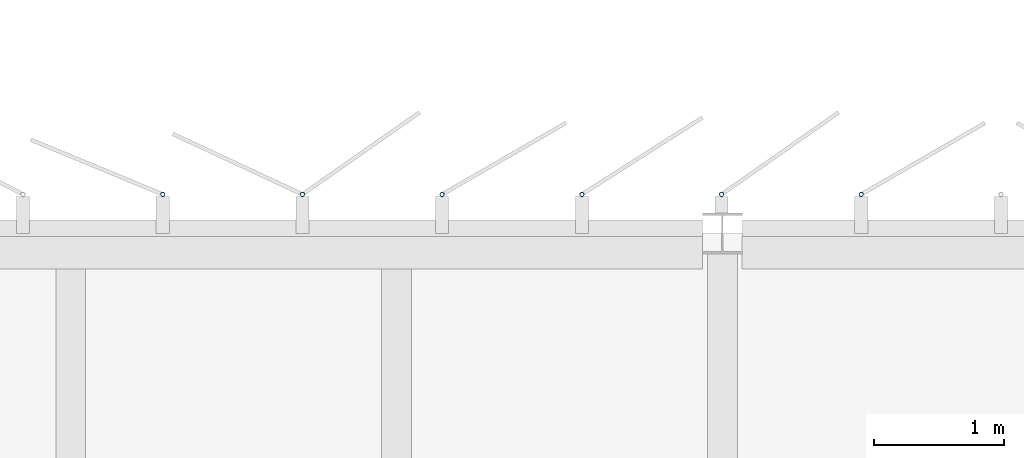
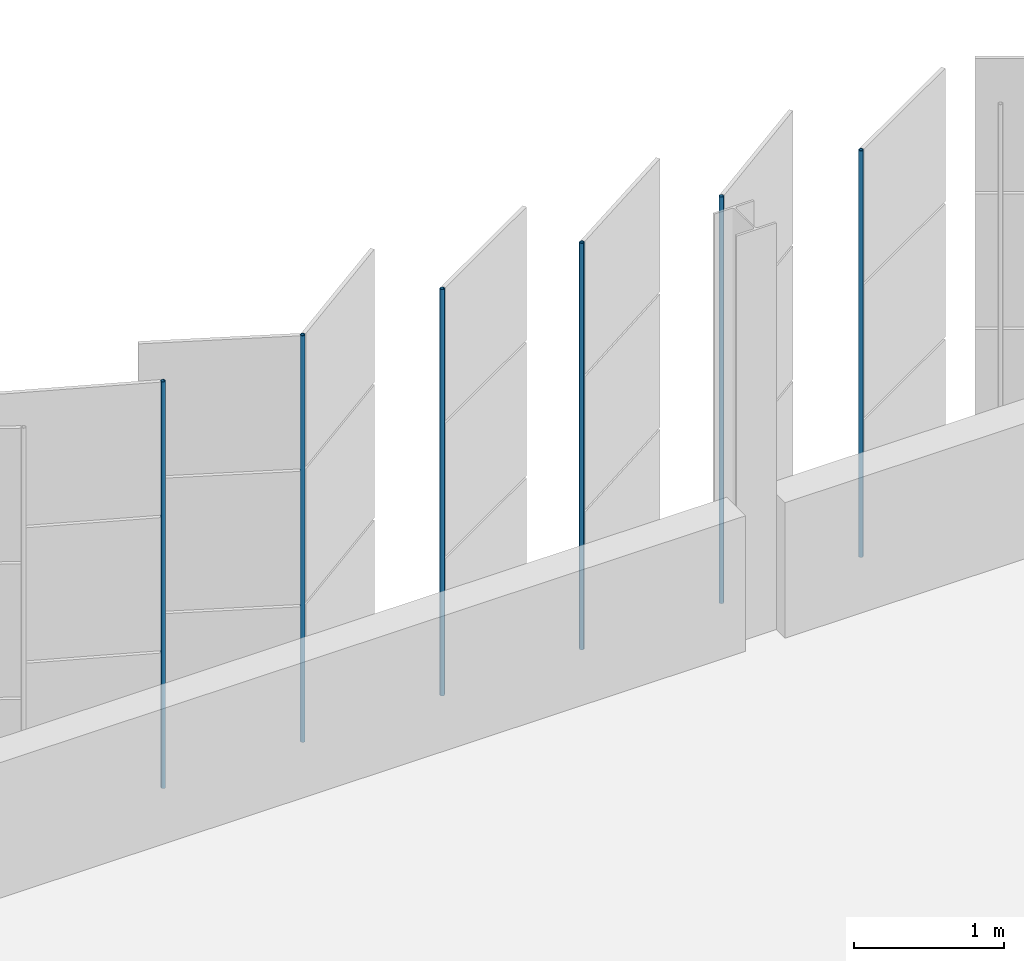
# One storey, part 157 of 214: 6 discrete accessories.
"""IFC4 building model written with IfcOpenShell, lengths in metres."""

import ifcopenshell
import ifcopenshell.guid

model = None  # the IFC model being written
_history = None  # IfcOwnerHistory: only IFC2X3 demands one
_inside = {}  # id of a spatial element -> (the spatial element, [elements in it])
_under = {}  # id of a project, library or spatial element -> (it, [spatial elements below it])
_declared = {}  # id of a project -> (the project, [libraries it declares])
_typed = {}  # id of a type object -> (the type object, [elements of that type])
_made_of = {}  # id of a material, layer set ... -> (it, [elements and type objects made of it])


def new_model(schema):
    """Start an empty IFC model of exactly this schema.

    Asked for "IFC4X3", IfcOpenShell would pick the latest addendum, in which some entities
    have other attributes; the version numbers below select the first issue.
    IFC2X3 requires an IfcOwnerHistory on every rooted entity: one is made here for all.
    """
    global model, _history
    if schema == "IFC4X3":
        model = ifcopenshell.file(schema_version=(4, 3, 0, 0))
    else:
        model = ifcopenshell.file(schema=schema)
    _inside.clear()
    _under.clear()
    _declared.clear()
    _typed.clear()
    _made_of.clear()
    _history = None
    if model.schema == "IFC2X3":
        org = make("IfcOrganization", Name="unknown")
        user = make(
            "IfcPersonAndOrganization",
            ThePerson=make("IfcPerson", FamilyName="unknown"),
            TheOrganization=org,
        )
        app = make(
            "IfcApplication",
            ApplicationDeveloper=org,
            Version="unknown",
            ApplicationFullName="unknown",
            ApplicationIdentifier="unknown",
        )
        _history = make(
            "IfcOwnerHistory",
            OwningUser=user,
            OwningApplication=app,
            ChangeAction="ADDED",
            CreationDate=0,
        )
    return model


def make(cls, **values):
    """One entity of the class cls with the attributes given. An attribute that is None is left unset."""
    return model.create_entity(
        cls, **{name: value for name, value in values.items() if value is not None}
    )


def rooted(cls, **values):
    """An entity with a GlobalId (a new one), such as an element, a storey or a relation."""
    return make(cls, GlobalId=ifcopenshell.guid.new(), OwnerHistory=_history, **values)


def si_unit(unit_type, name, prefix=None):
    """IfcSIUnit, for example si_unit("LENGTHUNIT", "METRE", prefix="MILLI")."""
    return make("IfcSIUnit", UnitType=unit_type, Prefix=prefix, Name=name)


def assignment(units):
    """IfcUnitAssignment: the units of a project."""
    return None if units is None else make("IfcUnitAssignment", Units=units)


def point(xyz):
    """IfcCartesianPoint."""
    return None if xyz is None else make("IfcCartesianPoint", Coordinates=xyz)


def direction(xyz):
    """IfcDirection."""
    return None if xyz is None else make("IfcDirection", DirectionRatios=xyz)


def frame(location, z_axis=None, x_axis=None):
    """IfcAxis2Placement3D, a coordinate frame: its origin and axes. An axis left out is left unset."""
    return make(
        "IfcAxis2Placement3D",
        Location=point(location),
        Axis=direction(z_axis),
        RefDirection=direction(x_axis),
    )


def frame_2d(location, x_axis=None):
    """IfcAxis2Placement2D, a coordinate frame in the plane: its origin and x axis."""
    return make(
        "IfcAxis2Placement2D", Location=point(location), RefDirection=direction(x_axis)
    )


def origin():
    """The frame at (0, 0, 0) with its axes left unset."""
    return frame((0.0, 0.0, 0.0))


def origin_2d():
    """The frame at (0, 0) in the plane with its x axis left unset."""
    return frame_2d((0.0, 0.0))


def place(relative_to, where):
    """IfcLocalPlacement: puts the frame where relative to a parent placement (None: the world)."""
    return make(
        "IfcLocalPlacement", PlacementRelTo=relative_to, RelativePlacement=where
    )


def context(
    kind, dimensions, precision=None, world=None, true_north=None, identifier=None
):
    """IfcGeometricRepresentationContext, for example the 3D "Model" context."""
    return make(
        "IfcGeometricRepresentationContext",
        ContextIdentifier=identifier,
        ContextType=kind,
        CoordinateSpaceDimension=dimensions,
        Precision=precision,
        WorldCoordinateSystem=world,
        TrueNorth=true_north,
    )


def subcontext(parent, identifier, kind, view, scale=None):
    """IfcGeometricRepresentationSubContext, for example "Body" below "Model"."""
    return make(
        "IfcGeometricRepresentationSubContext",
        ContextIdentifier=identifier,
        ContextType=kind,
        ParentContext=parent,
        TargetScale=scale,
        TargetView=view,
    )


def project(units=None, contexts=None):
    """IfcProject with its units and contexts."""
    return rooted(
        "IfcProject",
        Name="project",
        RepresentationContexts=contexts,
        UnitsInContext=assignment(units),
    )


def spatial(cls, under=None, at=None, **own):
    """A site, building, storey or space (cls), placed at a placement, below another one or the project."""
    s = rooted(cls, ObjectPlacement=at, **own)
    if under is not None:
        _under.setdefault(under.id(), (under, []))[1].append(s)
    return s


def profile(cls, at=None, kind="AREA", **sizes):
    """A parametric profile (cls). Its sizes go by their IFC names, for example OverallWidth=200.0."""
    return make(cls, ProfileType=kind, Position=at, **sizes)


def hollow_circle(**sizes):
    """IfcCircleHollowProfileDef."""
    return profile("IfcCircleHollowProfileDef", **sizes)


def extrude(swept, where, along, depth):
    """IfcExtrudedAreaSolid: the profile swept, set in the frame where, extruded along a direction by depth."""
    return make(
        "IfcExtrudedAreaSolid",
        SweptArea=swept,
        Position=where,
        ExtrudedDirection=direction(along),
        Depth=depth,
    )


def shape(context_of_items, identifier, shape_type, items):
    """IfcShapeRepresentation: the items that make up one representation, for example the "Body"."""
    return make(
        "IfcShapeRepresentation",
        ContextOfItems=context_of_items,
        RepresentationIdentifier=identifier,
        RepresentationType=shape_type,
        Items=items,
    )


def material(Name=None, Category=None):
    """IfcMaterial."""
    return make("IfcMaterial", Name=Name, Category=Category)


def material_profile(
    of_material, cross_section, Name=None, Category=None, Priority=None
):
    """IfcMaterialProfile: a cross section and its material."""
    return make(
        "IfcMaterialProfile",
        Name=Name,
        Material=of_material,
        Profile=cross_section,
        Priority=Priority,
        Category=Category,
    )


def profile_set(profiles, Name=None, composite=None):
    """IfcMaterialProfileSet."""
    return make(
        "IfcMaterialProfileSet",
        Name=Name,
        MaterialProfiles=profiles,
        CompositeProfile=composite,
    )


def made_of(thing, what):
    """Note that an element or type object is made of a material, layer set ...; save() writes the relation."""
    if what is not None:
        _made_of.setdefault(what.id(), (what, []))[1].append(thing)
    return thing


def type_object(cls, material=None, **own):
    """A type object (cls), such as IfcWallType, which elements share."""
    return made_of(rooted(cls, **own), material)


def element(
    cls,
    number,
    at=None,
    inside=None,
    cuts=None,
    type_object=None,
    material=None,
    context=None,
    identifier="Body",
    shape_type=None,
    held_by="IfcProductDefinitionShape",
    body=None,
    shapes=None,
    **own,
):
    """One element of the class cls, such as IfcWall. Its Tag is "e" and its number.

    at: its placement. inside: the storey or other place that contains it. cuts: it is an
    opening in that element (IfcRelVoidsElement). A single representation is given by context,
    identifier, shape_type and body (its items); several are given by shapes. held_by: the class
    of the entity that holds the representations. save() writes the other relations.
    """
    e = rooted(cls, Tag="e%d" % number, ObjectPlacement=at, **own)
    if body is not None:
        shapes = [shape(context, identifier, shape_type, body)]
    if shapes is not None:
        e.Representation = make(held_by, Representations=shapes)
    if inside is not None:
        _inside.setdefault(inside.id(), (inside, []))[1].append(e)
    if cuts is not None:
        rooted(
            "IfcRelVoidsElement", RelatingBuildingElement=cuts, RelatedOpeningElement=e
        )
    if type_object is not None:
        _typed.setdefault(type_object.id(), (type_object, []))[1].append(e)
    return made_of(e, material)


def aggregate(whole, parts):
    """IfcRelAggregates: a whole, such as a stair, and the parts it consists of."""
    return rooted("IfcRelAggregates", RelatingObject=whole, RelatedObjects=parts)


def save(model, path):
    """Write the relations noted so far, then the file.

    IfcRelAggregates (storeys below a building ...), IfcRelContainedInSpatialStructure (elements
    in a storey), IfcRelDefinesByType, IfcRelAssociatesMaterial and IfcRelDeclares: one each for
    every whole, place, type object, material and project.
    """
    for whole, parts in _under.values():
        aggregate(whole, parts)
    for where, things in _inside.values():
        rooted(
            "IfcRelContainedInSpatialStructure",
            RelatedElements=things,
            RelatingStructure=where,
        )
    for kind, things in _typed.values():
        rooted("IfcRelDefinesByType", RelatedObjects=things, RelatingType=kind)
    for what, things in _made_of.values():
        rooted("IfcRelAssociatesMaterial", RelatedObjects=things, RelatingMaterial=what)
    for by, libraries in _declared.values():
        rooted("IfcRelDeclares", RelatingContext=by, RelatedDefinitions=libraries)
    model.write(path)


model = new_model("IFC4")

# Units and contexts
model_context = context("Model", 3, precision=1e-05, world=origin(), true_north=direction((0.0, 1.0)))
body_context = subcontext(model_context, "Body", "Model", "MODEL_VIEW")
ifc_project = project(units=[si_unit("LENGTHUNIT", "METRE"), si_unit("AREAUNIT", "SQUARE_METRE"), si_unit("VOLUMEUNIT", "CUBIC_METRE"), si_unit("PLANEANGLEUNIT", "RADIAN"), si_unit("MASSUNIT", "GRAM", prefix="KILO")], contexts=[model_context])

# Site, building, storey
site_placement = place(None, origin())
site = spatial("IfcSite", under=ifc_project, at=site_placement, CompositionType="ELEMENT")
building_placement = place(site_placement, origin())
building = spatial("IfcBuilding", under=site, at=building_placement, Name="Parallax Yard Mobility Hub", CompositionType="ELEMENT")
storey_placement = place(building_placement, frame((0.0, 0.0, 3.300048828125)))
storey = spatial("IfcBuildingStorey", under=building, at=storey_placement, Name="L01", CompositionType="ELEMENT", Elevation=3.300048828125)

# Discrete accessories
ifc_material = material(Name="Steel ASTM A500 Gr C, hot-dip galvanised", Category="steel")
ifc_material_profile = material_profile(ifc_material, hollow_circle(Radius=0.016845703125, WallThickness=0.003173828125, at=origin_2d()), Name="CHS 33.7x3.2")
ifc_profile_set = profile_set([ifc_material_profile], Name="Steel ASTM A500 Gr C, hot-dip galvanised")
discrete_accessory_type = type_object("IfcDiscreteAccessoryType", Name="Hinge post CHS 33.7x3.2", PredefinedType="BRACKET", material=ifc_profile_set)
for number, where, z_axis, x_axis, name in (
    (1, (98.564453125, 142.800048828125, 0.0), (0.0, 0.0, 1.0), (1.0, 0.0, 0.0), "Hinge post bay 60.7 level L01"),
    (2, (97.492919921875, 142.800048828125, 0.0), (0.0, 0.0, 1.0), (1.0, 0.0, 0.0), "Hinge post bay 61.1 level L01"),
    (3, (96.42138671875, 142.800048828125, 0.0), (0.0, 0.0, 1.0), (1.0, 0.0, 0.0), "Hinge post bay 61.2 level L01"),
    (4, (95.349853515625, 142.800048828125, 0.0), (0.0, 0.0, 1.0), (1.0, 0.0, 0.0), "Hinge post bay 61.3 level L01"),
    (5, (94.2783203125, 142.800048828125, 0.0), (0.0, 0.0, 1.0), (1.0, 0.0, 0.0), "Hinge post bay 61.4 level L01"),
    (6, (93.206787109375, 142.800048828125, 0.0), (0.0, 0.0, 1.0), (1.0, 0.0, 0.0), "Hinge post bay 61.5 level L01"),
):
    element("IfcDiscreteAccessory", number, at=place(storey_placement, frame(where, z_axis=z_axis, x_axis=x_axis)), inside=storey, type_object=discrete_accessory_type, Name=name, PredefinedType="BRACKET", context=body_context, shape_type="SweptSolid", body=[
        extrude(hollow_circle(Radius=0.016845703125, WallThickness=0.003173828125, at=origin_2d()), origin(), (0.0, 0.0, 1.0), 3.300048828125),
    ])

save(model, "model.ifc")
